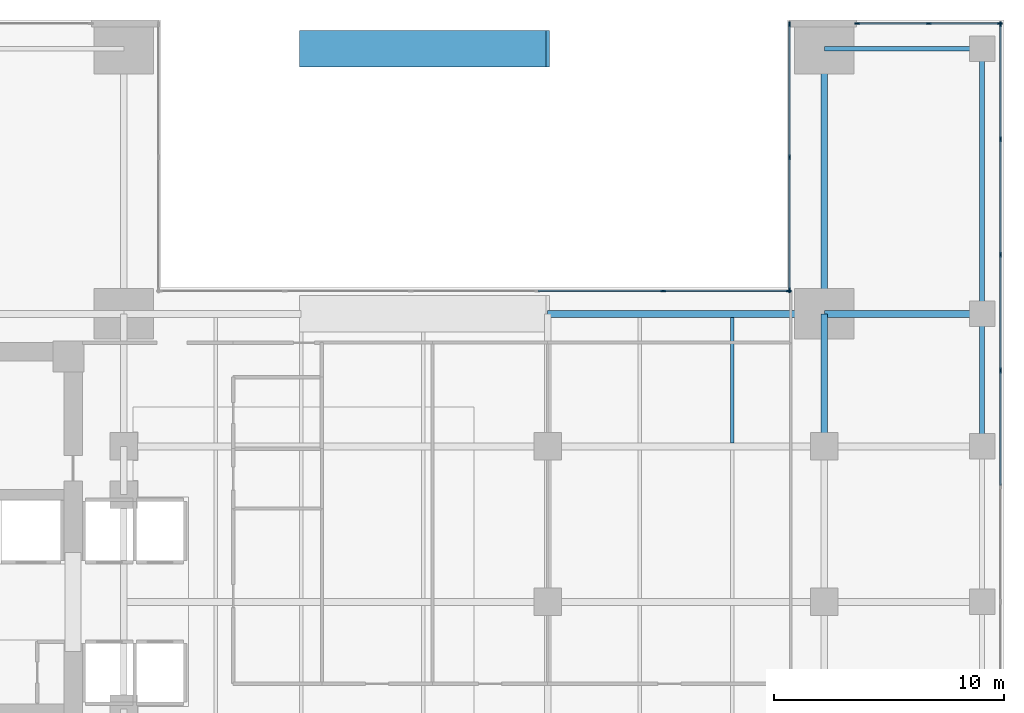
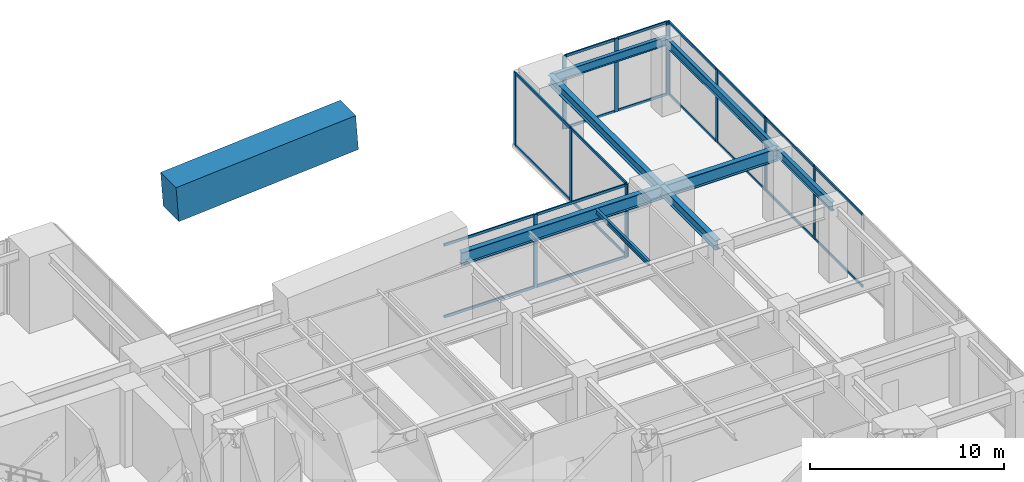
# One storey, part 6 of 13: 32 members, 9 beams, 4 elements without a shape of their own.
"""IFC4 building model written with IfcOpenShell, lengths in metres."""

from ifc_helpers import new_model, si_unit, direction, frame, origin, origin_2d, place, context, subcontext, project, spatial, rectangle, i_section, extrude, material, layer, layer_set, material_profile, profile_set, type_object, element, aggregate, save


model = new_model("IFC4")

# Units and contexts
model_context = context("Model", 3, precision=1e-05, world=origin(), true_north=direction((0.0, 1.0)))
body_context = subcontext(model_context, "Body", "Model", "MODEL_VIEW")
ifc_project = project(units=[si_unit("LENGTHUNIT", "METRE"), si_unit("AREAUNIT", "SQUARE_METRE"), si_unit("VOLUMEUNIT", "CUBIC_METRE"), si_unit("PLANEANGLEUNIT", "RADIAN"), si_unit("MASSUNIT", "GRAM", prefix="KILO")], contexts=[model_context])

# Site, building, storey
site_placement = place(None, origin())
site = spatial("IfcSite", under=ifc_project, at=site_placement, CompositionType="ELEMENT")
building_placement = place(site_placement, origin())
building = spatial("IfcBuilding", under=site, at=building_placement, Name="Kinhvarn Gate Tower", CompositionType="ELEMENT")
storey_placement = place(building_placement, frame((0.0, 0.0, 10.800048828125)))
storey = spatial("IfcBuildingStorey", under=building, at=storey_placement, Name="L02", CompositionType="ELEMENT", Elevation=10.800048828125)

# Beam
ifc_material_1 = material(Name="Concrete C70/85", Category="concrete")
ifc_material_profile_1 = material_profile(ifc_material_1, rectangle(XDim=1.60009765625, YDim=2.199951171875, at=origin_2d()), Name="RC 1600x2200")
ifc_profile_set_1 = profile_set([ifc_material_profile_1], Name="Concrete C70/85")
beam_type_1 = type_object("IfcBeamType", Name="BM-AR-2200", PredefinedType="BEAM", material=ifc_profile_set_1)
beam_1_placement = place(storey_placement, frame((27.5, 49.25, 4.800048828125), z_axis=(0.997217987756, 0.0, 0.074540491658), x_axis=(0.0, 1.0, 0.0)))
element("IfcBeam", 1, at=beam_1_placement, inside=storey, type_object=beam_type_1, Name="Portal Arch Crown Rib AR-02-4", PredefinedType="BEAM", context=body_context, shape_type="SweptSolid", body=[
    extrude(rectangle(XDim=1.60009765625, YDim=2.199951171875, at=origin_2d()), origin(), (0.0, 0.0, 1.0), 10.729736328125),
])

# Curtain wall, members
ifc_material_2 = material(Name="Anodised aluminium AW-6063", Category="aluminium")
ifc_layer = layer(ifc_material_2, 0.219970703125)
ifc_layer_set = layer_set([ifc_layer], Name="Anodised aluminium AW-6063")
curtain_wall_type = type_object("IfcCurtainWallType", Name="CW-SYS-1", PredefinedType="NOTDEFINED", material=ifc_layer_set)
curtain_wall_1_placement = place(storey_placement, origin())
curtain_wall_1 = element("IfcCurtainWall", 2, at=curtain_wall_1_placement, inside=storey, type_object=curtain_wall_type, Name="Curtain Wall CW1 (L02)", PredefinedType="NOTDEFINED")
ifc_material_profile_2 = material_profile(ifc_material_2, rectangle(XDim=0.080078125, YDim=0.219970703125, at=origin_2d()), Name="ALU 80x220")
ifc_profile_set_2 = profile_set([ifc_material_profile_2], Name="Anodised aluminium AW-6063")
member_type_1 = type_object("IfcMemberType", Name="CW-MUL-220", PredefinedType="MULLION", material=ifc_profile_set_2)
member_1_placement = place(storey_placement, frame((57.85009765625, 35.2900390625, 0.0), z_axis=(0.0, 0.0, 1.0), x_axis=(-1.0, 0.0, 0.0)))
member_1 = element("IfcMember", 3, at=member_1_placement, type_object=member_type_1, Name="CW1 mullion 8", PredefinedType="MULLION", context=body_context, shape_type="SweptSolid", body=[
    extrude(rectangle(XDim=0.080078125, YDim=0.219970703125, at=origin_2d()), origin(), (0.0, 0.0, 1.0), 4.599853515625),
])
member_2_placement = place(storey_placement, frame((57.85009765625, 40.31005859375, 0.0), z_axis=(0.0, 0.0, 1.0), x_axis=(-1.0, 0.0, 0.0)))
member_2 = element("IfcMember", 4, at=member_2_placement, type_object=member_type_1, Name="CW1 mullion 9", PredefinedType="MULLION", context=body_context, shape_type="SweptSolid", body=[
    extrude(rectangle(XDim=0.080078125, YDim=0.219970703125, at=origin_2d()), origin(), (0.0, 0.0, 1.0), 4.599853515625),
])
member_3_placement = place(storey_placement, frame((57.85009765625, 45.330078125, 0.0), z_axis=(0.0, 0.0, 1.0), x_axis=(-1.0, 0.0, 0.0)))
member_3 = element("IfcMember", 5, at=member_3_placement, type_object=member_type_1, Name="CW1 mullion 10", PredefinedType="MULLION", context=body_context, shape_type="SweptSolid", body=[
    extrude(rectangle(XDim=0.080078125, YDim=0.219970703125, at=origin_2d()), origin(), (0.0, 0.0, 1.0), 4.599853515625),
])
member_4_placement = place(storey_placement, frame((57.85009765625, 50.31005859375, 0.0), z_axis=(0.0, 0.0, 1.0), x_axis=(-1.0, 0.0, 0.0)))
member_4 = element("IfcMember", 6, at=member_4_placement, type_object=member_type_1, Name="CW1 mullion 11", PredefinedType="MULLION", context=body_context, shape_type="SweptSolid", body=[
    extrude(rectangle(XDim=0.080078125, YDim=0.219970703125, at=origin_2d()), origin(), (0.0, 0.0, 1.0), 4.599853515625),
])

curtain_wall_2_placement = place(storey_placement, origin())
curtain_wall_2 = element("IfcCurtainWall", 7, at=curtain_wall_2_placement, inside=storey, type_object=curtain_wall_type, Name="Curtain Wall CW1 (L02)", PredefinedType="NOTDEFINED")
member_5_placement = place(storey_placement, frame((57.81005859375, 50.35009765625, 0.0), z_axis=(0.0, 0.0, 1.0), x_axis=(0.0, -1.0, 0.0)))
member_5 = element("IfcMember", 8, at=member_5_placement, type_object=member_type_1, Name="CW1 mullion 1", PredefinedType="MULLION", context=body_context, shape_type="SweptSolid", body=[
    extrude(rectangle(XDim=0.080078125, YDim=0.219970703125, at=origin_2d()), origin(), (0.0, 0.0, 1.0), 4.599853515625),
])
member_6_placement = place(storey_placement, frame((54.72509765625, 50.35009765625, 0.0), z_axis=(0.0, 0.0, 1.0), x_axis=(0.0, -1.0, 0.0)))
member_6 = element("IfcMember", 9, at=member_6_placement, type_object=member_type_1, Name="CW1 mullion 2", PredefinedType="MULLION", context=body_context, shape_type="SweptSolid", body=[
    extrude(rectangle(XDim=0.080078125, YDim=0.219970703125, at=origin_2d()), origin(), (0.0, 0.0, 1.0), 4.599853515625),
])
member_7_placement = place(storey_placement, frame((51.639892578125, 50.35009765625, 0.0), z_axis=(0.0, 0.0, 1.0), x_axis=(0.0, -1.0, 0.0)))
member_7 = element("IfcMember", 10, at=member_7_placement, type_object=member_type_1, Name="CW1 mullion 3", PredefinedType="MULLION", context=body_context, shape_type="SweptSolid", body=[
    extrude(rectangle(XDim=0.080078125, YDim=0.219970703125, at=origin_2d()), origin(), (0.0, 0.0, 1.0), 4.599853515625),
])

curtain_wall_3_placement = place(storey_placement, origin())
curtain_wall_3 = element("IfcCurtainWall", 11, at=curtain_wall_3_placement, inside=storey, type_object=curtain_wall_type, Name="Curtain Wall CW1 (L02)", PredefinedType="NOTDEFINED")
member_8_placement = place(storey_placement, frame((48.68994140625, 50.31005859375, 0.0), z_axis=(0.0, 0.0, 1.0), x_axis=(1.0, 0.0, 0.0)))
member_8 = element("IfcMember", 12, at=member_8_placement, type_object=member_type_1, Name="CW1 mullion 1", PredefinedType="MULLION", context=body_context, shape_type="SweptSolid", body=[
    extrude(rectangle(XDim=0.080078125, YDim=0.219970703125, at=origin_2d()), origin(), (0.0, 0.0, 1.0), 4.599853515625),
])
member_9_placement = place(storey_placement, frame((48.68994140625, 44.544921875, 0.0), z_axis=(0.0, 0.0, 1.0), x_axis=(1.0, 0.0, 0.0)))
member_9 = element("IfcMember", 13, at=member_9_placement, type_object=member_type_1, Name="CW1 mullion 2", PredefinedType="MULLION", context=body_context, shape_type="SweptSolid", body=[
    extrude(rectangle(XDim=0.080078125, YDim=0.219970703125, at=origin_2d()), origin(), (0.0, 0.0, 1.0), 4.599853515625),
])
member_10_placement = place(storey_placement, frame((48.68994140625, 38.780029296875, 0.0), z_axis=(0.0, 0.0, 1.0), x_axis=(1.0, 0.0, 0.0)))
member_10 = element("IfcMember", 14, at=member_10_placement, type_object=member_type_1, Name="CW1 mullion 3", PredefinedType="MULLION", context=body_context, shape_type="SweptSolid", body=[
    extrude(rectangle(XDim=0.080078125, YDim=0.219970703125, at=origin_2d()), origin(), (0.0, 0.0, 1.0), 4.599853515625),
])

curtain_wall_4_placement = place(storey_placement, origin())
curtain_wall_4 = element("IfcCurtainWall", 15, at=curtain_wall_4_placement, inside=storey, type_object=curtain_wall_type, Name="Curtain Wall CW1 (L02)", PredefinedType="NOTDEFINED")
member_11_placement = place(storey_placement, frame((48.64990234375, 38.739990234375, 0.0), z_axis=(0.0, 0.0, 1.0), x_axis=(0.0, -1.0, 0.0)))
member_11 = element("IfcMember", 16, at=member_11_placement, type_object=member_type_1, Name="CW1 mullion 1", PredefinedType="MULLION", context=body_context, shape_type="SweptSolid", body=[
    extrude(rectangle(XDim=0.080078125, YDim=0.219970703125, at=origin_2d()), origin(), (0.0, 0.0, 1.0), 4.599853515625),
])
member_12_placement = place(storey_placement, frame((43.214111328125, 38.739990234375, 0.0), z_axis=(0.0, 0.0, 1.0), x_axis=(0.0, -1.0, 0.0)))
member_12 = element("IfcMember", 17, at=member_12_placement, type_object=member_type_1, Name="CW1 mullion 2", PredefinedType="MULLION", context=body_context, shape_type="SweptSolid", body=[
    extrude(rectangle(XDim=0.080078125, YDim=0.219970703125, at=origin_2d()), origin(), (0.0, 0.0, 1.0), 4.599853515625),
])

# Member
ifc_material_profile_3 = material_profile(ifc_material_2, rectangle(XDim=0.080078125, YDim=0.159912109375, at=origin_2d()), Name="ALU 80x160")
ifc_profile_set_3 = profile_set([ifc_material_profile_3], Name="Anodised aluminium AW-6063")
member_type_2 = type_object("IfcMemberType", Name="CW-TRN-160", PredefinedType="USERDEFINED", material=ifc_profile_set_3)
member_13_placement = place(storey_placement, frame((57.85009765625, 30.31005859375, 0.0400390625), z_axis=(0.0, 1.0, 0.0), x_axis=(-1.0, 0.0, 0.0)))
member_13 = element("IfcMember", 18, at=member_13_placement, type_object=member_type_2, Name="CW1 transom 7.1", ObjectType="TRANSOM", PredefinedType="USERDEFINED", context=body_context, shape_type="SweptSolid", body=[
    extrude(rectangle(XDim=0.080078125, YDim=0.159912109375, at=origin_2d()), origin(), (0.0, 0.0, 1.0), 4.93994140625),
])

member_14_placement = place(storey_placement, frame((57.85009765625, 30.31005859375, 4.56005859375), z_axis=(0.0, 1.0, 0.0), x_axis=(-1.0, 0.0, 0.0)))
member_14 = element("IfcMember", 19, at=member_14_placement, type_object=member_type_2, Name="CW1 transom 7.2", ObjectType="TRANSOM", PredefinedType="USERDEFINED", context=body_context, shape_type="SweptSolid", body=[
    extrude(rectangle(XDim=0.080078125, YDim=0.159912109375, at=origin_2d()), origin(), (0.0, 0.0, 1.0), 4.93994140625),
])

member_15_placement = place(storey_placement, frame((57.85009765625, 35.330078125, 0.0400390625), z_axis=(0.0, 1.0, 0.0), x_axis=(-1.0, 0.0, 0.0)))
member_15 = element("IfcMember", 20, at=member_15_placement, type_object=member_type_2, Name="CW1 transom 8.1", ObjectType="TRANSOM", PredefinedType="USERDEFINED", context=body_context, shape_type="SweptSolid", body=[
    extrude(rectangle(XDim=0.080078125, YDim=0.159912109375, at=origin_2d()), origin(), (0.0, 0.0, 1.0), 4.93994140625),
])

member_16_placement = place(storey_placement, frame((57.85009765625, 35.330078125, 4.56005859375), z_axis=(0.0, 1.0, 0.0), x_axis=(-1.0, 0.0, 0.0)))
member_16 = element("IfcMember", 21, at=member_16_placement, type_object=member_type_2, Name="CW1 transom 8.2", ObjectType="TRANSOM", PredefinedType="USERDEFINED", context=body_context, shape_type="SweptSolid", body=[
    extrude(rectangle(XDim=0.080078125, YDim=0.159912109375, at=origin_2d()), origin(), (0.0, 0.0, 1.0), 4.93994140625),
])

member_17_placement = place(storey_placement, frame((57.85009765625, 40.35009765625, 0.0400390625), z_axis=(0.0, 1.0, 0.0), x_axis=(-1.0, 0.0, 0.0)))
member_17 = element("IfcMember", 22, at=member_17_placement, type_object=member_type_2, Name="CW1 transom 9.1", ObjectType="TRANSOM", PredefinedType="USERDEFINED", context=body_context, shape_type="SweptSolid", body=[
    extrude(rectangle(XDim=0.080078125, YDim=0.159912109375, at=origin_2d()), origin(), (0.0, 0.0, 1.0), 4.93994140625),
])

member_18_placement = place(storey_placement, frame((57.85009765625, 40.35009765625, 4.56005859375), z_axis=(0.0, 1.0, 0.0), x_axis=(-1.0, 0.0, 0.0)))
member_18 = element("IfcMember", 23, at=member_18_placement, type_object=member_type_2, Name="CW1 transom 9.2", ObjectType="TRANSOM", PredefinedType="USERDEFINED", context=body_context, shape_type="SweptSolid", body=[
    extrude(rectangle(XDim=0.080078125, YDim=0.159912109375, at=origin_2d()), origin(), (0.0, 0.0, 1.0), 4.93994140625),
])

member_19_placement = place(storey_placement, frame((57.85009765625, 45.3701171875, 0.0400390625), z_axis=(0.0, 1.0, 0.0), x_axis=(-1.0, 0.0, 0.0)))
member_19 = element("IfcMember", 24, at=member_19_placement, type_object=member_type_2, Name="CW1 transom 10.1", ObjectType="TRANSOM", PredefinedType="USERDEFINED", context=body_context, shape_type="SweptSolid", body=[
    extrude(rectangle(XDim=0.080078125, YDim=0.159912109375, at=origin_2d()), origin(), (0.0, 0.0, 1.0), 4.89990234375),
])

member_20_placement = place(storey_placement, frame((57.85009765625, 45.3701171875, 4.56005859375), z_axis=(0.0, 1.0, 0.0), x_axis=(-1.0, 0.0, 0.0)))
member_20 = element("IfcMember", 25, at=member_20_placement, type_object=member_type_2, Name="CW1 transom 10.2", ObjectType="TRANSOM", PredefinedType="USERDEFINED", context=body_context, shape_type="SweptSolid", body=[
    extrude(rectangle(XDim=0.080078125, YDim=0.159912109375, at=origin_2d()), origin(), (0.0, 0.0, 1.0), 4.89990234375),
])

aggregate(curtain_wall_1, [member_1, member_2, member_3, member_4, member_13, member_14, member_15, member_16, member_17, member_18, member_19, member_20])

member_21_placement = place(storey_placement, frame((57.77001953125, 50.35009765625, 0.0400390625), z_axis=(-1.0, 0.0, 0.0), x_axis=(0.0, -1.0, 0.0)))
member_21 = element("IfcMember", 26, at=member_21_placement, type_object=member_type_2, Name="CW1 transom 1.1", ObjectType="TRANSOM", PredefinedType="USERDEFINED", context=body_context, shape_type="SweptSolid", body=[
    extrude(rectangle(XDim=0.080078125, YDim=0.159912109375, at=origin_2d()), origin(), (0.0, 0.0, 1.0), 3.005126953125),
])

member_22_placement = place(storey_placement, frame((57.77001953125, 50.35009765625, 4.56005859375), z_axis=(-1.0, 0.0, 0.0), x_axis=(0.0, -1.0, 0.0)))
member_22 = element("IfcMember", 27, at=member_22_placement, type_object=member_type_2, Name="CW1 transom 1.2", ObjectType="TRANSOM", PredefinedType="USERDEFINED", context=body_context, shape_type="SweptSolid", body=[
    extrude(rectangle(XDim=0.080078125, YDim=0.159912109375, at=origin_2d()), origin(), (0.0, 0.0, 1.0), 3.005126953125),
])

member_23_placement = place(storey_placement, frame((54.68505859375, 50.35009765625, 0.0400390625), z_axis=(-1.0, 0.0, 0.0), x_axis=(0.0, -1.0, 0.0)))
member_23 = element("IfcMember", 28, at=member_23_placement, type_object=member_type_2, Name="CW1 transom 2.1", ObjectType="TRANSOM", PredefinedType="USERDEFINED", context=body_context, shape_type="SweptSolid", body=[
    extrude(rectangle(XDim=0.080078125, YDim=0.159912109375, at=origin_2d()), origin(), (0.0, 0.0, 1.0), 3.005126953125),
])

member_24_placement = place(storey_placement, frame((54.68505859375, 50.35009765625, 4.56005859375), z_axis=(-1.0, 0.0, 0.0), x_axis=(0.0, -1.0, 0.0)))
member_24 = element("IfcMember", 29, at=member_24_placement, type_object=member_type_2, Name="CW1 transom 2.2", ObjectType="TRANSOM", PredefinedType="USERDEFINED", context=body_context, shape_type="SweptSolid", body=[
    extrude(rectangle(XDim=0.080078125, YDim=0.159912109375, at=origin_2d()), origin(), (0.0, 0.0, 1.0), 3.005126953125),
])

aggregate(curtain_wall_2, [member_5, member_6, member_7, member_21, member_22, member_23, member_24])

member_25_placement = place(storey_placement, frame((48.68994140625, 50.27001953125, 0.0400390625), z_axis=(0.0, -1.0, 0.0), x_axis=(1.0, 0.0, 0.0)))
member_25 = element("IfcMember", 30, at=member_25_placement, type_object=member_type_2, Name="CW1 transom 1.1", ObjectType="TRANSOM", PredefinedType="USERDEFINED", context=body_context, shape_type="SweptSolid", body=[
    extrude(rectangle(XDim=0.080078125, YDim=0.159912109375, at=origin_2d()), origin(), (0.0, 0.0, 1.0), 5.68505859375),
])

member_26_placement = place(storey_placement, frame((48.68994140625, 50.27001953125, 4.56005859375), z_axis=(0.0, -1.0, 0.0), x_axis=(1.0, 0.0, 0.0)))
member_26 = element("IfcMember", 31, at=member_26_placement, type_object=member_type_2, Name="CW1 transom 1.2", ObjectType="TRANSOM", PredefinedType="USERDEFINED", context=body_context, shape_type="SweptSolid", body=[
    extrude(rectangle(XDim=0.080078125, YDim=0.159912109375, at=origin_2d()), origin(), (0.0, 0.0, 1.0), 5.68505859375),
])

member_27_placement = place(storey_placement, frame((48.68994140625, 44.5048828125, 0.0400390625), z_axis=(0.0, -1.0, 0.0), x_axis=(1.0, 0.0, 0.0)))
member_27 = element("IfcMember", 32, at=member_27_placement, type_object=member_type_2, Name="CW1 transom 2.1", ObjectType="TRANSOM", PredefinedType="USERDEFINED", context=body_context, shape_type="SweptSolid", body=[
    extrude(rectangle(XDim=0.080078125, YDim=0.159912109375, at=origin_2d()), origin(), (0.0, 0.0, 1.0), 5.684814453125),
])

member_28_placement = place(storey_placement, frame((48.68994140625, 44.5048828125, 4.56005859375), z_axis=(0.0, -1.0, 0.0), x_axis=(1.0, 0.0, 0.0)))
member_28 = element("IfcMember", 33, at=member_28_placement, type_object=member_type_2, Name="CW1 transom 2.2", ObjectType="TRANSOM", PredefinedType="USERDEFINED", context=body_context, shape_type="SweptSolid", body=[
    extrude(rectangle(XDim=0.080078125, YDim=0.159912109375, at=origin_2d()), origin(), (0.0, 0.0, 1.0), 5.684814453125),
])

aggregate(curtain_wall_3, [member_8, member_9, member_10, member_25, member_26, member_27, member_28])

member_29_placement = place(storey_placement, frame((48.610107421875, 38.739990234375, 0.0400390625), z_axis=(-1.0, 0.0, 0.0), x_axis=(0.0, -1.0, 0.0)))
member_29 = element("IfcMember", 34, at=member_29_placement, type_object=member_type_2, Name="CW1 transom 1.1", ObjectType="TRANSOM", PredefinedType="USERDEFINED", context=body_context, shape_type="SweptSolid", body=[
    extrude(rectangle(XDim=0.080078125, YDim=0.159912109375, at=origin_2d()), origin(), (0.0, 0.0, 1.0), 5.356201171875),
])

member_30_placement = place(storey_placement, frame((48.610107421875, 38.739990234375, 4.56005859375), z_axis=(-1.0, 0.0, 0.0), x_axis=(0.0, -1.0, 0.0)))
member_30 = element("IfcMember", 35, at=member_30_placement, type_object=member_type_2, Name="CW1 transom 1.2", ObjectType="TRANSOM", PredefinedType="USERDEFINED", context=body_context, shape_type="SweptSolid", body=[
    extrude(rectangle(XDim=0.080078125, YDim=0.159912109375, at=origin_2d()), origin(), (0.0, 0.0, 1.0), 5.356201171875),
])

member_31_placement = place(storey_placement, frame((43.174072265625, 38.739990234375, 0.0400390625), z_axis=(-1.0, 0.0, 0.0), x_axis=(0.0, -1.0, 0.0)))
member_31 = element("IfcMember", 36, at=member_31_placement, type_object=member_type_2, Name="CW1 transom 2.1", ObjectType="TRANSOM", PredefinedType="USERDEFINED", context=body_context, shape_type="SweptSolid", body=[
    extrude(rectangle(XDim=0.080078125, YDim=0.159912109375, at=origin_2d()), origin(), (0.0, 0.0, 1.0), 5.39599609375),
])

member_32_placement = place(storey_placement, frame((43.174072265625, 38.739990234375, 4.56005859375), z_axis=(-1.0, 0.0, 0.0), x_axis=(0.0, -1.0, 0.0)))
member_32 = element("IfcMember", 37, at=member_32_placement, type_object=member_type_2, Name="CW1 transom 2.2", ObjectType="TRANSOM", PredefinedType="USERDEFINED", context=body_context, shape_type="SweptSolid", body=[
    extrude(rectangle(XDim=0.080078125, YDim=0.159912109375, at=origin_2d()), origin(), (0.0, 0.0, 1.0), 5.39599609375),
])

aggregate(curtain_wall_4, [member_11, member_12, member_29, member_30, member_31, member_32])

# Beams
ifc_material_3 = material(Name="Steel S355", Category="steel")
ifc_material_profile_4 = material_profile(ifc_material_3, i_section(OverallWidth=0.300048828125, OverallDepth=0.60009765625, WebThickness=0.015380859375, FlangeThickness=0.030029296875, at=origin_2d()), Name="HEB 600")
ifc_profile_set_4 = profile_set([ifc_material_profile_4], Name="Steel S355")
beam_type_2 = type_object("IfcBeamType", Name="STL-HEB600", PredefinedType="BEAM", material=ifc_profile_set_4)
beam_2_placement = place(storey_placement, frame((50.199951171875, 32.0, 4.300048828125), z_axis=(0.0, 1.0, 0.0), x_axis=(-1.0, 0.0, 0.0)))
element("IfcBeam", 38, at=beam_2_placement, inside=storey, type_object=beam_type_2, Name="Floor Beam PG-16 (L02 APE-5)", PredefinedType="BEAM", context=body_context, shape_type="SweptSolid", body=[
    extrude(i_section(OverallWidth=0.300048828125, OverallDepth=0.60009765625, WebThickness=0.015380859375, FlangeThickness=0.030029296875, at=origin_2d()), origin(), (0.0, 0.0, 1.0), 5.75),
])
beam_3_placement = place(storey_placement, frame((50.199951171875, 37.75, 4.300048828125), z_axis=(0.0, 1.0, 0.0), x_axis=(-1.0, 0.0, 0.0)))
element("IfcBeam", 39, at=beam_3_placement, inside=storey, type_object=beam_type_2, Name="Floor Beam PG-16 (L02 APE-6)", PredefinedType="BEAM", context=body_context, shape_type="SweptSolid", body=[
    extrude(i_section(OverallWidth=0.300048828125, OverallDepth=0.60009765625, WebThickness=0.015380859375, FlangeThickness=0.030029296875, at=origin_2d()), origin(), (0.0, 0.0, 1.0), 11.5),
])
ifc_material_profile_5 = material_profile(ifc_material_3, i_section(OverallWidth=0.300048828125, OverallDepth=0.800048828125, WebThickness=0.017578125, FlangeThickness=0.032958984375, at=origin_2d()), Name="HEB 800")
ifc_profile_set_5 = profile_set([ifc_material_profile_5], Name="Steel S355")
beam_type_3 = type_object("IfcBeamType", Name="STL-HEB800", PredefinedType="BEAM", material=ifc_profile_set_5)
beam_4_placement = place(storey_placement, frame((50.199951171875, 37.75, 4.199951171875), z_axis=(1.0, 0.0, 0.0), x_axis=(0.0, 1.0, 0.0)))
element("IfcBeam", 40, at=beam_4_placement, inside=storey, type_object=beam_type_3, Name="Floor Beam PG-19 (L02 SPN-E)", PredefinedType="BEAM", context=body_context, shape_type="SweptSolid", body=[
    extrude(i_section(OverallWidth=0.300048828125, OverallDepth=0.800048828125, WebThickness=0.017578125, FlangeThickness=0.032958984375, at=origin_2d()), origin(), (0.0, 0.0, 1.0), 6.85009765625),
])
beam_5_placement = place(storey_placement, frame((38.199951171875, 37.75, 4.199951171875), z_axis=(1.0, 0.0, 0.0), x_axis=(0.0, 1.0, 0.0)))
element("IfcBeam", 41, at=beam_5_placement, inside=storey, type_object=beam_type_3, Name="Floor Beam PG-19 (L02 POD-N3)", PredefinedType="BEAM", context=body_context, shape_type="SweptSolid", body=[
    extrude(i_section(OverallWidth=0.300048828125, OverallDepth=0.800048828125, WebThickness=0.017578125, FlangeThickness=0.032958984375, at=origin_2d()), origin(), (0.0, 0.0, 1.0), 12.0),
])
ifc_material_profile_6 = material_profile(ifc_material_3, i_section(OverallWidth=0.14990234375, OverallDepth=0.300048828125, WebThickness=0.007080078125, FlangeThickness=0.0107421875, at=origin_2d()), Name="IPE 300")
ifc_profile_set_6 = profile_set([ifc_material_profile_6], Name="Steel S355")
beam_type_4 = type_object("IfcBeamType", Name="STL-IPE300", PredefinedType="JOIST", material=ifc_profile_set_6)
beam_6_placement = place(storey_placement, frame((46.199951171875, 32.14990234375, 4.449951171875), z_axis=(0.0, 1.0, 0.0), x_axis=(-1.0, 0.0, 0.0)))
element("IfcBeam", 42, at=beam_6_placement, inside=storey, type_object=beam_type_4, Name="Floor Joist SB-02 (L02 POD-J462-32)", PredefinedType="JOIST", context=body_context, shape_type="SweptSolid", body=[
    extrude(i_section(OverallWidth=0.14990234375, OverallDepth=0.300048828125, WebThickness=0.007080078125, FlangeThickness=0.0107421875, at=origin_2d()), origin(), (0.0, 0.0, 1.0), 5.4501953125),
])
ifc_material_profile_7 = material_profile(ifc_material_3, i_section(OverallWidth=0.2099609375, OverallDepth=0.550048828125, WebThickness=0.010986328125, FlangeThickness=0.01708984375, at=origin_2d()), Name="IPE 550")
ifc_profile_set_7 = profile_set([ifc_material_profile_7], Name="Steel S355")
beam_type_5 = type_object("IfcBeamType", Name="STL-IPE550", PredefinedType="SPANDREL", material=ifc_profile_set_7)
beam_7_placement = place(storey_placement, frame((57.050048828125, 32.0, 4.324951171875), z_axis=(0.0, 1.0, 0.0), x_axis=(-1.0, 0.0, 0.0)))
element("IfcBeam", 43, at=beam_7_placement, inside=storey, type_object=beam_type_5, Name="Floor Spandrel SB-08 (L02 PERE-5)", PredefinedType="SPANDREL", context=body_context, shape_type="SweptSolid", body=[
    extrude(i_section(OverallWidth=0.2099609375, OverallDepth=0.550048828125, WebThickness=0.010986328125, FlangeThickness=0.01708984375, at=origin_2d()), origin(), (0.0, 0.0, 1.0), 5.75),
])
beam_8_placement = place(storey_placement, frame((57.050048828125, 37.75, 4.324951171875), z_axis=(0.0, 1.0, 0.0), x_axis=(-1.0, 0.0, 0.0)))
element("IfcBeam", 44, at=beam_8_placement, inside=storey, type_object=beam_type_5, Name="Floor Spandrel SB-08 (L02 PERE-6)", PredefinedType="SPANDREL", context=body_context, shape_type="SweptSolid", body=[
    extrude(i_section(OverallWidth=0.2099609375, OverallDepth=0.550048828125, WebThickness=0.010986328125, FlangeThickness=0.01708984375, at=origin_2d()), origin(), (0.0, 0.0, 1.0), 11.5),
])
beam_9_placement = place(storey_placement, frame((50.199951171875, 49.25, 4.324951171875), z_axis=(1.0, 0.0, 0.0), x_axis=(0.0, 1.0, 0.0)))
element("IfcBeam", 45, at=beam_9_placement, inside=storey, type_object=beam_type_5, Name="Floor Spandrel SB-08 (L02 SP-POD-NE)", PredefinedType="SPANDREL", context=body_context, shape_type="SweptSolid", body=[
    extrude(i_section(OverallWidth=0.2099609375, OverallDepth=0.550048828125, WebThickness=0.010986328125, FlangeThickness=0.01708984375, at=origin_2d()), origin(), (0.0, 0.0, 1.0), 6.85009765625),
])

save(model, "model.ifc")
